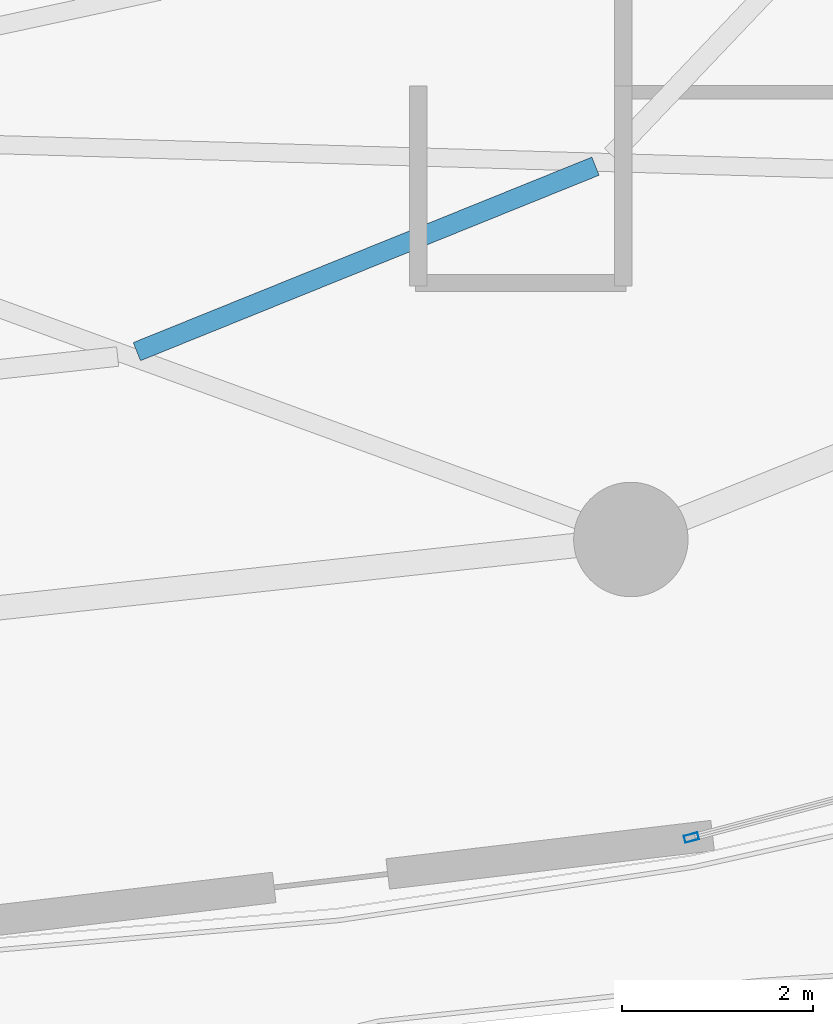
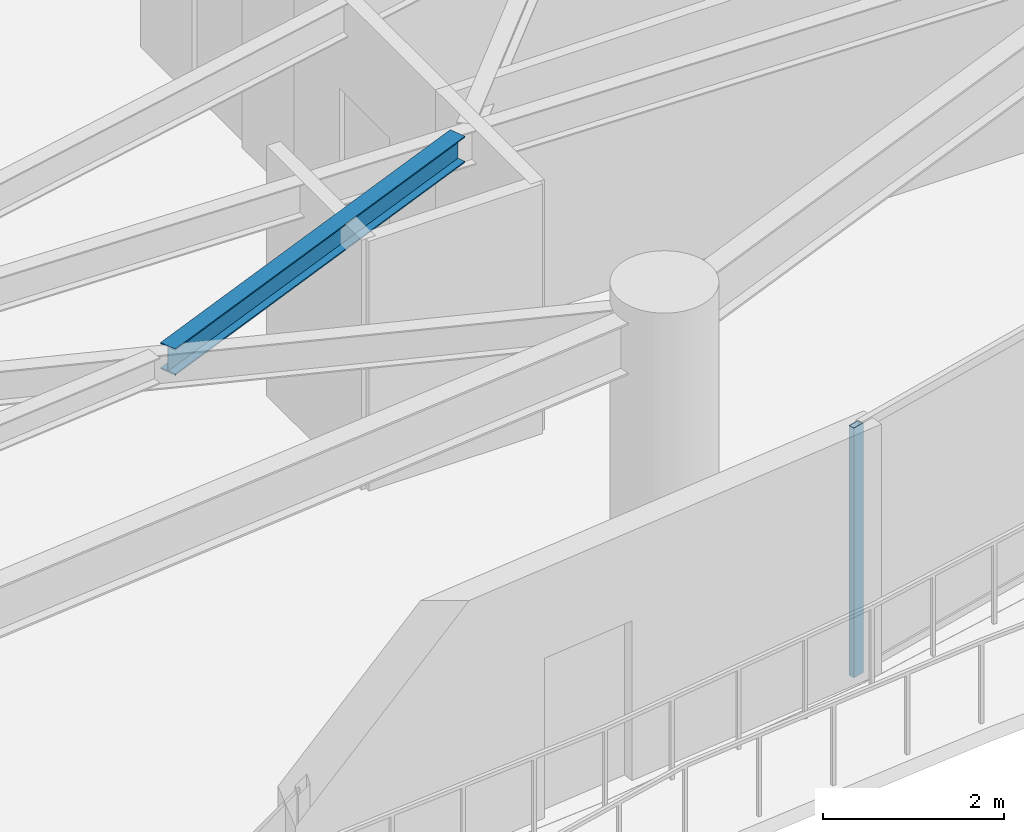
# One storey, part 12 of 34: 1 beam, 1 member, 1 element without a shape of its own.
"""IFC4 building model written with IfcOpenShell, lengths in metres."""

from ifc_helpers import new_model, si_unit, direction, frame, origin, origin_2d, place, context, subcontext, project, spatial, hollow_rectangle, i_section, extrude, material, layer, layer_set, material_profile, profile_set, type_object, element, aggregate, save


model = new_model("IFC4")

# Units and contexts
model_context = context("Model", 3, precision=1e-05, world=origin(), true_north=direction((0.0, 1.0)))
body_context = subcontext(model_context, "Body", "Model", "MODEL_VIEW")
ifc_project = project(units=[si_unit("LENGTHUNIT", "METRE"), si_unit("AREAUNIT", "SQUARE_METRE"), si_unit("VOLUMEUNIT", "CUBIC_METRE"), si_unit("PLANEANGLEUNIT", "RADIAN"), si_unit("MASSUNIT", "GRAM", prefix="KILO")], contexts=[model_context])

# Site, building, storey
site_placement = place(None, origin())
site = spatial("IfcSite", under=ifc_project, at=site_placement, CompositionType="ELEMENT")
building_placement = place(site_placement, origin())
building = spatial("IfcBuilding", under=site, at=building_placement, Name="Kazevale Care Tower and Concert Hall", CompositionType="ELEMENT")
storey_placement = place(building_placement, frame((0.0, 0.0, 156.60009765625)))
storey = spatial("IfcBuildingStorey", under=building, at=storey_placement, Name="L41", CompositionType="ELEMENT", Elevation=156.60009765625)

# Curtain wall, member
ifc_material_1 = material(Name="Aluminium 6063-T6 and Low-E Glass", Category="aluminium")
ifc_layer = layer(ifc_material_1, 0.179931640625)
ifc_layer_set = layer_set([ifc_layer], Name="Aluminium 6063-T6 and Low-E Glass")
curtain_wall_type = type_object("IfcCurtainWallType", Name="Sheltered Concave Balcony Curtain Wall CW-5", PredefinedType="NOTDEFINED", material=ifc_layer_set)
curtain_wall_placement = place(storey_placement, origin())
curtain_wall = element("IfcCurtainWall", 1, at=curtain_wall_placement, inside=storey, type_object=curtain_wall_type, Name="cw:L41:f04", PredefinedType="NOTDEFINED")
ifc_material_2 = material(Name="Aluminium 6063-T6", Category="aluminium")
ifc_material_profile_1 = material_profile(ifc_material_2, hollow_rectangle(XDim=0.074951171875, YDim=0.14990234375, WallThickness=0.00390625, at=origin_2d()), Name="ALU75x150x4")
ifc_profile_set_1 = profile_set([ifc_material_profile_1], Name="Aluminium 6063-T6")
member_type = type_object("IfcMemberType", Name="CW-5 Mullion ALU75x150x4", PredefinedType="MULLION", material=ifc_profile_set_1)
member_placement = place(storey_placement, frame((56.365234375, 16.18359375, 0.0), z_axis=(0.0, 0.0, 1.0), x_axis=(0.254238458229, -0.967141564797, 0.0)))
member = element("IfcMember", 2, at=member_placement, type_object=member_type, Name="CW-5 mullion 2", PredefinedType="MULLION", context=body_context, shape_type="SweptSolid", body=[
    extrude(hollow_rectangle(XDim=0.074951171875, YDim=0.14990234375, WallThickness=0.00390625, at=origin_2d()), origin(), (0.0, 0.0, 1.0), 3.35986328125),
])
aggregate(curtain_wall, [member])

# Beam
ifc_material_3 = material(Name="Steel ASTM A572 Gr 50", Category="steel")
ifc_material_profile_2 = material_profile(ifc_material_3, i_section(OverallWidth=0.205078125, OverallDepth=0.35400390625, WebThickness=0.009521484375, FlangeThickness=0.016845703125, at=origin_2d()), Name="W360x79")
ifc_profile_set_2 = profile_set([ifc_material_profile_2], Name="Steel ASTM A572 Gr 50")
beam_type = type_object("IfcBeamType", Name="Secondary Floor Joist W360x79", PredefinedType="JOIST", material=ifc_profile_set_2)
beam_placement = place(storey_placement, frame((50.549072265625, 21.280029296875, 3.182861328125), z_axis=(0.927064833216, 0.374901046964, 0.0), x_axis=(-0.374901046964, 0.927064833216, 0.0)))
element("IfcBeam", 3, at=beam_placement, inside=storey, type_object=beam_type, Name="beam:L41:joist:14", PredefinedType="JOIST", context=body_context, shape_type="SweptSolid", body=[
    extrude(i_section(OverallWidth=0.205078125, OverallDepth=0.35400390625, WebThickness=0.009521484375, FlangeThickness=0.016845703125, at=origin_2d()), origin(), (0.0, 0.0, 1.0), 5.188232421875),
])

save(model, "model.ifc")
